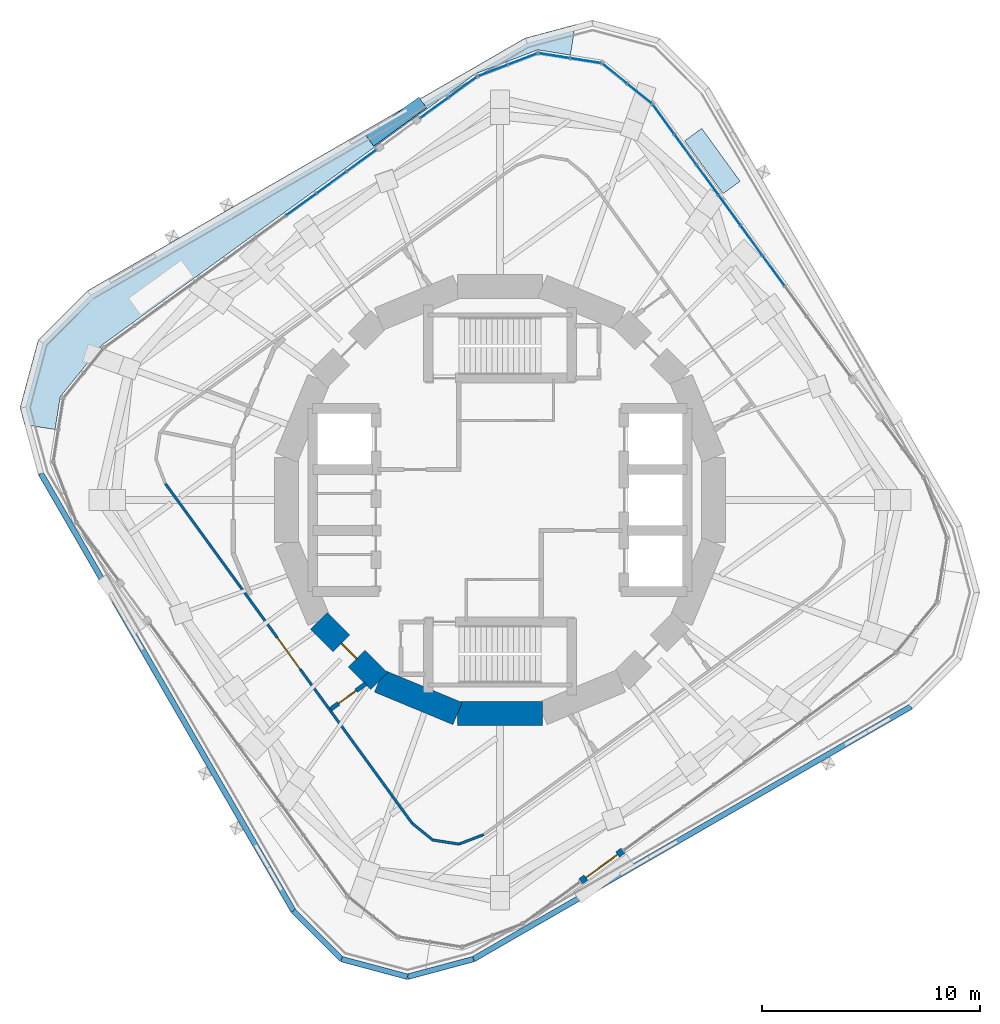
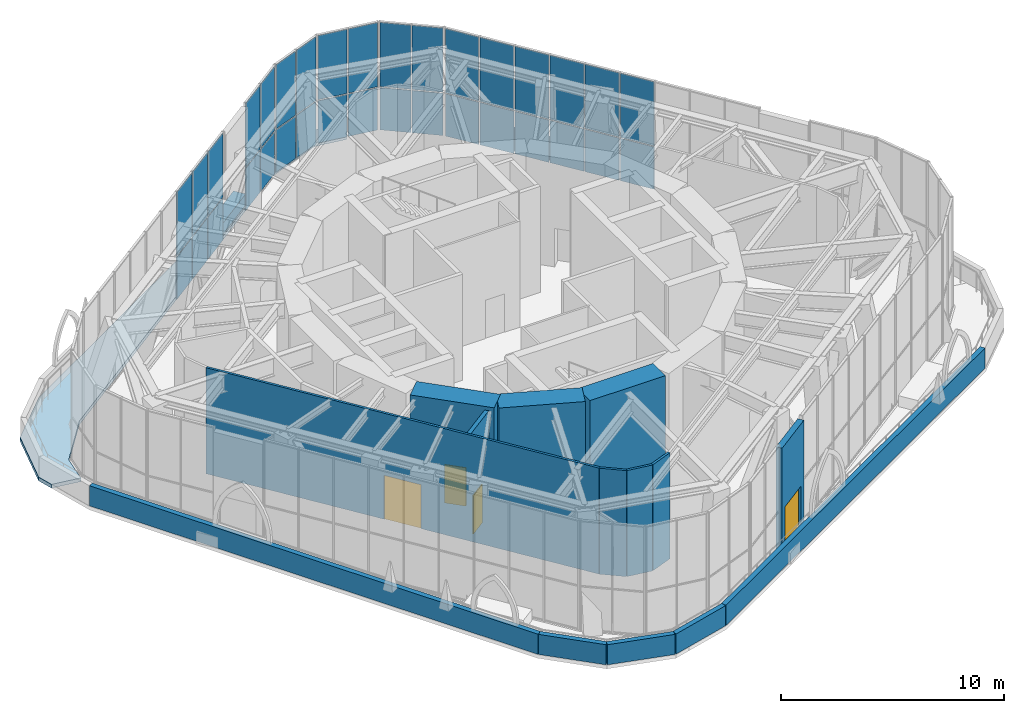
# One storey, part 12 of 18: 36 plates, 14 walls, 4 doors, 1 slab, 4 openings, 6 elements without a shape of their own.
"""IFC4 building model written with IfcOpenShell, lengths in metres."""

from ifc_helpers import new_model, si_unit, direction, frame, frame_2d, origin, origin_2d, place, context, subcontext, project, spatial, polyline, rectangle, outline, extrude, material, layer, layer_set, type_object, element, fill, aggregate, save


model = new_model("IFC4")

# Units and contexts
model_context = context("Model", 3, precision=1e-05, world=origin(), true_north=direction((0.0, 1.0)))
body_context = subcontext(model_context, "Body", "Model", "MODEL_VIEW")
ifc_project = project(units=[si_unit("LENGTHUNIT", "METRE"), si_unit("AREAUNIT", "SQUARE_METRE"), si_unit("VOLUMEUNIT", "CUBIC_METRE"), si_unit("PLANEANGLEUNIT", "RADIAN"), si_unit("MASSUNIT", "GRAM", prefix="KILO")], contexts=[model_context])

# Site, building, storey
site_placement = place(None, origin())
site = spatial("IfcSite", under=ifc_project, at=site_placement, CompositionType="ELEMENT")
building_placement = place(site_placement, origin())
building = spatial("IfcBuilding", under=site, at=building_placement, Name="Nakasero Lantern House", CompositionType="ELEMENT")
storey_placement = place(building_placement, frame((0.0, 0.0, 257.75)))
storey = spatial("IfcBuildingStorey", under=building, at=storey_placement, Name="L63", CompositionType="ELEMENT", Elevation=257.75)

# Curtain wall, plates
ifc_material_1 = material(Name="Aluminium 6063-T6 and glass", Category="aluminium")
curtain_wall_type = type_object("IfcCurtainWallType", Name="Sky lounge glazing CW-3", PredefinedType="USERDEFINED", material=ifc_material_1)
curtain_wall_1_placement = place(storey_placement, origin())
curtain_wall_1 = element("IfcCurtainWall", 1, at=curtain_wall_1_placement, inside=storey, type_object=curtain_wall_type, Name="Curtain wall CW-3 L63", ObjectType="STICK CURTAIN WALL", PredefinedType="USERDEFINED")
ifc_material_2 = material(Name="Glass", Category="glass")
ifc_layer_1 = layer(ifc_material_2, 0.028076171875)
ifc_layer_set_1 = layer_set([ifc_layer_1], Name="Glazed panel CW-3")
plate_type_1 = type_object("IfcPlateType", Name="Glazed panel CW-3", PredefinedType="CURTAIN_PANEL", material=ifc_layer_set_1)
plate_1_placement = place(storey_placement, frame((5.273681640625, 19.581298828125, 0.06005859375), z_axis=(0.0, 0.0, 1.0), x_axis=(-0.777145961424, 0.629320391091, 0.0)))
plate_1 = element("IfcPlate", 2, at=plate_1_placement, type_object=plate_type_1, Name="CW-3 panel 2.1", PredefinedType="CURTAIN_PANEL", context=body_context, shape_type="SweptSolid", body=[
    extrude(rectangle(XDim=1.398193359375, YDim=0.028076171875, at=origin_2d()), origin(), (0.0, 0.0, 1.0), 2.31005859375),
])
plate_2_placement = place(storey_placement, frame((5.273681640625, 19.581298828125, 2.43017578125), z_axis=(0.0, 0.0, 1.0), x_axis=(-0.777145961424, 0.629320391091, 0.0)))
plate_2 = element("IfcPlate", 3, at=plate_2_placement, type_object=plate_type_1, Name="CW-3 panel 2.2", PredefinedType="CURTAIN_PANEL", context=body_context, shape_type="SweptSolid", body=[
    extrude(rectangle(XDim=1.398193359375, YDim=0.028076171875, at=origin_2d()), origin(), (0.0, 0.0, 1.0), 3.510009765625),
])

curtain_wall_2_placement = place(storey_placement, origin())
curtain_wall_2 = element("IfcCurtainWall", 4, at=curtain_wall_2_placement, inside=storey, type_object=curtain_wall_type, Name="Curtain wall CW-3 L63", ObjectType="STICK CURTAIN WALL", PredefinedType="USERDEFINED")
plate_3_placement = place(storey_placement, frame((3.93408203125, 20.177734375, 0.06005859375), z_axis=(0.0, 0.0, 1.0), x_axis=(-0.987688340595, 0.15643446504, 0.0)))
plate_3 = element("IfcPlate", 5, at=plate_3_placement, type_object=plate_type_1, Name="CW-3 panel 1.1", PredefinedType="CURTAIN_PANEL", context=body_context, shape_type="SweptSolid", body=[
    extrude(rectangle(XDim=1.398193359375, YDim=0.028076171875, at=origin_2d()), origin(), (0.0, 0.0, 1.0), 2.31005859375),
])
plate_4_placement = place(storey_placement, frame((3.93408203125, 20.177734375, 2.43017578125), z_axis=(0.0, 0.0, 1.0), x_axis=(-0.987688340595, 0.15643446504, 0.0)))
plate_4 = element("IfcPlate", 6, at=plate_4_placement, type_object=plate_type_1, Name="CW-3 panel 1.2", PredefinedType="CURTAIN_PANEL", context=body_context, shape_type="SweptSolid", body=[
    extrude(rectangle(XDim=1.398193359375, YDim=0.028076171875, at=origin_2d()), origin(), (0.0, 0.0, 1.0), 3.510009765625),
])
plate_5_placement = place(storey_placement, frame((2.493896484375, 20.40576171875, 0.06005859375), z_axis=(0.0, 0.0, 1.0), x_axis=(-0.987688340595, 0.15643446504, 0.0)))
plate_5 = element("IfcPlate", 7, at=plate_5_placement, type_object=plate_type_1, Name="CW-3 panel 2.1", PredefinedType="CURTAIN_PANEL", context=body_context, shape_type="SweptSolid", body=[
    extrude(rectangle(XDim=1.398193359375, YDim=0.028076171875, at=origin_2d()), origin(), (0.0, 0.0, 1.0), 2.31005859375),
])
plate_6_placement = place(storey_placement, frame((2.493896484375, 20.40576171875, 2.43017578125), z_axis=(0.0, 0.0, 1.0), x_axis=(-0.987688340595, 0.15643446504, 0.0)))
plate_6 = element("IfcPlate", 8, at=plate_6_placement, type_object=plate_type_1, Name="CW-3 panel 2.2", PredefinedType="CURTAIN_PANEL", context=body_context, shape_type="SweptSolid", body=[
    extrude(rectangle(XDim=1.398193359375, YDim=0.028076171875, at=origin_2d()), origin(), (0.0, 0.0, 1.0), 3.510009765625),
])
aggregate(curtain_wall_2, [plate_3, plate_4, plate_5, plate_6])

curtain_wall_3_placement = place(storey_placement, origin())
curtain_wall_3 = element("IfcCurtainWall", 9, at=curtain_wall_3_placement, inside=storey, type_object=curtain_wall_type, Name="Curtain wall CW-3 L63", ObjectType="STICK CURTAIN WALL", PredefinedType="USERDEFINED")
plate_7_placement = place(storey_placement, frame((1.035400390625, 20.252685546875, 0.06005859375), z_axis=(0.0, 0.0, 1.0), x_axis=(-0.933580426472, -0.35836794961, 0.0)))
plate_7 = element("IfcPlate", 10, at=plate_7_placement, type_object=plate_type_1, Name="CW-3 panel 1.1", PredefinedType="CURTAIN_PANEL", context=body_context, shape_type="SweptSolid", body=[
    extrude(rectangle(XDim=1.398193359375, YDim=0.028076171875, at=origin_2d()), origin(), (0.0, 0.0, 1.0), 2.31005859375),
])
plate_8_placement = place(storey_placement, frame((1.035400390625, 20.252685546875, 2.43017578125), z_axis=(0.0, 0.0, 1.0), x_axis=(-0.933580426472, -0.35836794961, 0.0)))
plate_8 = element("IfcPlate", 11, at=plate_8_placement, type_object=plate_type_1, Name="CW-3 panel 1.2", PredefinedType="CURTAIN_PANEL", context=body_context, shape_type="SweptSolid", body=[
    extrude(rectangle(XDim=1.398193359375, YDim=0.028076171875, at=origin_2d()), origin(), (0.0, 0.0, 1.0), 3.510009765625),
])
plate_9_placement = place(storey_placement, frame((-0.325927734375, 19.72998046875, 0.06005859375), z_axis=(0.0, 0.0, 1.0), x_axis=(-0.933580426472, -0.35836794961, 0.0)))
plate_9 = element("IfcPlate", 12, at=plate_9_placement, type_object=plate_type_1, Name="CW-3 panel 2.1", PredefinedType="CURTAIN_PANEL", context=body_context, shape_type="SweptSolid", body=[
    extrude(rectangle(XDim=1.398193359375, YDim=0.028076171875, at=origin_2d()), origin(), (0.0, 0.0, 1.0), 2.31005859375),
])
plate_10_placement = place(storey_placement, frame((-0.325927734375, 19.72998046875, 2.43017578125), z_axis=(0.0, 0.0, 1.0), x_axis=(-0.933580426472, -0.35836794961, 0.0)))
plate_10 = element("IfcPlate", 13, at=plate_10_placement, type_object=plate_type_1, Name="CW-3 panel 2.2", PredefinedType="CURTAIN_PANEL", context=body_context, shape_type="SweptSolid", body=[
    extrude(rectangle(XDim=1.398193359375, YDim=0.028076171875, at=origin_2d()), origin(), (0.0, 0.0, 1.0), 3.510009765625),
])
aggregate(curtain_wall_3, [plate_7, plate_8, plate_9, plate_10])

curtain_wall_4_placement = place(storey_placement, origin())
curtain_wall_4 = element("IfcCurtainWall", 14, at=curtain_wall_4_placement, inside=storey, type_object=curtain_wall_type, Name="Curtain wall CW-3 L63", ObjectType="STICK CURTAIN WALL", PredefinedType="USERDEFINED")
plate_11_placement = place(storey_placement, frame((-1.71435546875, 18.964111328125, 0.06005859375), z_axis=(0.0, 0.0, 1.0), x_axis=(-0.809016994406, -0.58778525225, 0.0)))
plate_11 = element("IfcPlate", 15, at=plate_11_placement, type_object=plate_type_1, Name="CW-3 panel 1.1", PredefinedType="CURTAIN_PANEL", context=body_context, shape_type="SweptSolid", body=[
    extrude(rectangle(XDim=1.56005859375, YDim=0.028076171875, at=origin_2d()), origin(), (0.0, 0.0, 1.0), 2.31005859375),
])
plate_12_placement = place(storey_placement, frame((-1.71435546875, 18.964111328125, 2.43017578125), z_axis=(0.0, 0.0, 1.0), x_axis=(-0.809016994406, -0.58778525225, 0.0)))
plate_12 = element("IfcPlate", 16, at=plate_12_placement, type_object=plate_type_1, Name="CW-3 panel 1.2", PredefinedType="CURTAIN_PANEL", context=body_context, shape_type="SweptSolid", body=[
    extrude(rectangle(XDim=1.56005859375, YDim=0.028076171875, at=origin_2d()), origin(), (0.0, 0.0, 1.0), 3.510009765625),
])
plate_13_placement = place(storey_placement, frame((-3.02490234375, 18.011962890625, 0.06005859375), z_axis=(0.0, 0.0, 1.0), x_axis=(-0.809016994406, -0.58778525225, 0.0)))
plate_13 = element("IfcPlate", 17, at=plate_13_placement, type_object=plate_type_1, Name="CW-3 panel 2.1", PredefinedType="CURTAIN_PANEL", context=body_context, shape_type="SweptSolid", body=[
    extrude(rectangle(XDim=1.56005859375, YDim=0.028076171875, at=origin_2d()), origin(), (0.0, 0.0, 1.0), 2.31005859375),
])
plate_14_placement = place(storey_placement, frame((-3.02490234375, 18.011962890625, 2.43017578125), z_axis=(0.0, 0.0, 1.0), x_axis=(-0.809016994406, -0.58778525225, 0.0)))
plate_14 = element("IfcPlate", 18, at=plate_14_placement, type_object=plate_type_1, Name="CW-3 panel 2.2", PredefinedType="CURTAIN_PANEL", context=body_context, shape_type="SweptSolid", body=[
    extrude(rectangle(XDim=1.56005859375, YDim=0.028076171875, at=origin_2d()), origin(), (0.0, 0.0, 1.0), 3.510009765625),
])
aggregate(curtain_wall_4, [plate_11, plate_12, plate_13, plate_14])

curtain_wall_5_placement = place(storey_placement, origin())
curtain_wall_5 = element("IfcCurtainWall", 19, at=curtain_wall_5_placement, inside=storey, type_object=curtain_wall_type, Name="Curtain wall CW-3 L63", ObjectType="STICK CURTAIN WALL", PredefinedType="USERDEFINED")
ifc_material_3 = material(Name="Aluminium 6063-T6 and insulation", Category="aluminium")
ifc_layer_2 = layer(ifc_material_3, 0.028076171875)
ifc_layer_set_2 = layer_set([ifc_layer_2], Name="Insulated panel CW-3")
plate_type_2 = type_object("IfcPlateType", Name="Insulated panel CW-3", PredefinedType="CURTAIN_PANEL", material=ifc_layer_set_2)
plate_15_placement = place(storey_placement, frame((12.564453125, 10.522705078125, 0.06005859375), z_axis=(0.0, 0.0, 1.0), x_axis=(-0.587785252292, 0.809016994375, 0.0)))
plate_15 = element("IfcPlate", 20, at=plate_15_placement, type_object=plate_type_2, Name="CW-3 panel 4.1", PredefinedType="CURTAIN_PANEL", context=body_context, shape_type="SweptSolid", body=[
    extrude(rectangle(XDim=1.662109375, YDim=0.028076171875, at=origin_2d()), origin(), (0.0, 0.0, 1.0), 2.31005859375),
])
plate_16_placement = place(storey_placement, frame((12.564453125, 10.522705078125, 2.43017578125), z_axis=(0.0, 0.0, 1.0), x_axis=(-0.587785252292, 0.809016994375, 0.0)))
plate_16 = element("IfcPlate", 21, at=plate_16_placement, type_object=plate_type_2, Name="CW-3 panel 4.2", PredefinedType="CURTAIN_PANEL", context=body_context, shape_type="SweptSolid", body=[
    extrude(rectangle(XDim=1.662109375, YDim=0.028076171875, at=origin_2d()), origin(), (0.0, 0.0, 1.0), 3.510009765625),
])
plate_17_placement = place(storey_placement, frame((11.55224609375, 11.916015625, 0.06005859375), z_axis=(0.0, 0.0, 1.0), x_axis=(-0.587785252292, 0.809016994375, 0.0)))
plate_17 = element("IfcPlate", 22, at=plate_17_placement, type_object=plate_type_2, Name="CW-3 panel 5.1", PredefinedType="CURTAIN_PANEL", context=body_context, shape_type="SweptSolid", body=[
    extrude(rectangle(XDim=1.662109375, YDim=0.028076171875, at=origin_2d()), origin(), (0.0, 0.0, 1.0), 2.31005859375),
])
plate_18_placement = place(storey_placement, frame((11.55224609375, 11.916015625, 2.43017578125), z_axis=(0.0, 0.0, 1.0), x_axis=(-0.587785252292, 0.809016994375, 0.0)))
plate_18 = element("IfcPlate", 23, at=plate_18_placement, type_object=plate_type_2, Name="CW-3 panel 5.2", PredefinedType="CURTAIN_PANEL", context=body_context, shape_type="SweptSolid", body=[
    extrude(rectangle(XDim=1.662109375, YDim=0.028076171875, at=origin_2d()), origin(), (0.0, 0.0, 1.0), 3.510009765625),
])
plate_19_placement = place(storey_placement, frame((10.5400390625, 13.309326171875, 0.06005859375), z_axis=(0.0, 0.0, 1.0), x_axis=(-0.587785252292, 0.809016994375, 0.0)))
plate_19 = element("IfcPlate", 24, at=plate_19_placement, type_object=plate_type_2, Name="CW-3 panel 6.1", PredefinedType="CURTAIN_PANEL", context=body_context, shape_type="SweptSolid", body=[
    extrude(rectangle(XDim=1.662109375, YDim=0.028076171875, at=origin_2d()), origin(), (0.0, 0.0, 1.0), 2.31005859375),
])
plate_20_placement = place(storey_placement, frame((10.5400390625, 13.309326171875, 2.43017578125), z_axis=(0.0, 0.0, 1.0), x_axis=(-0.587785252292, 0.809016994375, 0.0)))
plate_20 = element("IfcPlate", 25, at=plate_20_placement, type_object=plate_type_2, Name="CW-3 panel 6.2", PredefinedType="CURTAIN_PANEL", context=body_context, shape_type="SweptSolid", body=[
    extrude(rectangle(XDim=1.662109375, YDim=0.028076171875, at=origin_2d()), origin(), (0.0, 0.0, 1.0), 3.510009765625),
])
plate_21_placement = place(storey_placement, frame((9.527587890625, 14.70263671875, 0.06005859375), z_axis=(0.0, 0.0, 1.0), x_axis=(-0.587785252292, 0.809016994375, 0.0)))
plate_21 = element("IfcPlate", 26, at=plate_21_placement, type_object=plate_type_2, Name="CW-3 panel 7.1", PredefinedType="CURTAIN_PANEL", context=body_context, shape_type="SweptSolid", body=[
    extrude(rectangle(XDim=1.662109375, YDim=0.028076171875, at=origin_2d()), origin(), (0.0, 0.0, 1.0), 2.31005859375),
])
plate_22_placement = place(storey_placement, frame((9.527587890625, 14.70263671875, 2.43017578125), z_axis=(0.0, 0.0, 1.0), x_axis=(-0.587785252292, 0.809016994375, 0.0)))
plate_22 = element("IfcPlate", 27, at=plate_22_placement, type_object=plate_type_2, Name="CW-3 panel 7.2", PredefinedType="CURTAIN_PANEL", context=body_context, shape_type="SweptSolid", body=[
    extrude(rectangle(XDim=1.662109375, YDim=0.028076171875, at=origin_2d()), origin(), (0.0, 0.0, 1.0), 3.510009765625),
])
plate_23_placement = place(storey_placement, frame((8.515380859375, 16.095947265625, 0.06005859375), z_axis=(0.0, 0.0, 1.0), x_axis=(-0.587785252292, 0.809016994375, 0.0)))
plate_23 = element("IfcPlate", 28, at=plate_23_placement, type_object=plate_type_2, Name="CW-3 panel 8.1", PredefinedType="CURTAIN_PANEL", context=body_context, shape_type="SweptSolid", body=[
    extrude(rectangle(XDim=1.662109375, YDim=0.028076171875, at=origin_2d()), origin(), (0.0, 0.0, 1.0), 2.31005859375),
])
plate_24_placement = place(storey_placement, frame((8.515380859375, 16.095947265625, 2.43017578125), z_axis=(0.0, 0.0, 1.0), x_axis=(-0.587785252292, 0.809016994375, 0.0)))
plate_24 = element("IfcPlate", 29, at=plate_24_placement, type_object=plate_type_2, Name="CW-3 panel 8.2", PredefinedType="CURTAIN_PANEL", context=body_context, shape_type="SweptSolid", body=[
    extrude(rectangle(XDim=1.662109375, YDim=0.028076171875, at=origin_2d()), origin(), (0.0, 0.0, 1.0), 3.510009765625),
])
plate_25_placement = place(storey_placement, frame((7.511962890625, 17.47705078125, 0.06005859375), z_axis=(0.0, 0.0, 1.0), x_axis=(-0.587785252292, 0.809016994375, 0.0)))
plate_25 = element("IfcPlate", 30, at=plate_25_placement, type_object=plate_type_2, Name="CW-3 panel 9.1", PredefinedType="CURTAIN_PANEL", context=body_context, shape_type="SweptSolid", body=[
    extrude(rectangle(XDim=1.63232421875, YDim=0.028076171875, at=origin_2d()), origin(), (0.0, 0.0, 1.0), 2.31005859375),
])
plate_26_placement = place(storey_placement, frame((7.511962890625, 17.47705078125, 2.43017578125), z_axis=(0.0, 0.0, 1.0), x_axis=(-0.587785252292, 0.809016994375, 0.0)))
plate_26 = element("IfcPlate", 31, at=plate_26_placement, type_object=plate_type_2, Name="CW-3 panel 9.2", PredefinedType="CURTAIN_PANEL", context=body_context, shape_type="SweptSolid", body=[
    extrude(rectangle(XDim=1.63232421875, YDim=0.028076171875, at=origin_2d()), origin(), (0.0, 0.0, 1.0), 3.510009765625),
])
aggregate(curtain_wall_5, [plate_15, plate_16, plate_17, plate_18, plate_19, plate_20, plate_21, plate_22, plate_23, plate_24, plate_25, plate_26])

# Plate
plate_27_placement = place(storey_placement, frame((6.406982421875, 18.66357421875, 0.06005859375), z_axis=(0.0, 0.0, 1.0), x_axis=(-0.777145961424, 0.629320391091, 0.0)))
plate_27 = element("IfcPlate", 32, at=plate_27_placement, type_object=plate_type_2, Name="CW-3 panel 1.1", PredefinedType="CURTAIN_PANEL", context=body_context, shape_type="SweptSolid", body=[
    extrude(rectangle(XDim=1.398193359375, YDim=0.028076171875, at=origin_2d()), origin(), (0.0, 0.0, 1.0), 2.31005859375),
])

plate_28_placement = place(storey_placement, frame((6.406982421875, 18.66357421875, 2.43017578125), z_axis=(0.0, 0.0, 1.0), x_axis=(-0.777145961424, 0.629320391091, 0.0)))
plate_28 = element("IfcPlate", 33, at=plate_28_placement, type_object=plate_type_2, Name="CW-3 panel 1.2", PredefinedType="CURTAIN_PANEL", context=body_context, shape_type="SweptSolid", body=[
    extrude(rectangle(XDim=1.398193359375, YDim=0.028076171875, at=origin_2d()), origin(), (0.0, 0.0, 1.0), 3.510009765625),
])

aggregate(curtain_wall_1, [plate_27, plate_28, plate_1, plate_2])

# Curtain wall, plates
curtain_wall_6_placement = place(storey_placement, origin())
curtain_wall_6 = element("IfcCurtainWall", 34, at=curtain_wall_6_placement, inside=storey, type_object=curtain_wall_type, Name="Curtain wall CW-3 L63", ObjectType="STICK CURTAIN WALL", PredefinedType="USERDEFINED")
plate_29_placement = place(storey_placement, frame((-6.35498046875, 15.592529296875, 0.06005859375), z_axis=(0.0, 0.0, 1.0), x_axis=(-0.809016994375, -0.587785252292, 0.0)))
plate_29 = element("IfcPlate", 35, at=plate_29_placement, type_object=plate_type_2, Name="CW-3 panel 1.1", PredefinedType="CURTAIN_PANEL", context=body_context, shape_type="SweptSolid", body=[
    extrude(rectangle(XDim=1.63232421875, YDim=0.028076171875, at=origin_2d()), origin(), (0.0, 0.0, 1.0), 2.31005859375),
])
plate_30_placement = place(storey_placement, frame((-6.35498046875, 15.592529296875, 2.43017578125), z_axis=(0.0, 0.0, 1.0), x_axis=(-0.809016994375, -0.587785252292, 0.0)))
plate_30 = element("IfcPlate", 36, at=plate_30_placement, type_object=plate_type_2, Name="CW-3 panel 1.2", PredefinedType="CURTAIN_PANEL", context=body_context, shape_type="SweptSolid", body=[
    extrude(rectangle(XDim=1.63232421875, YDim=0.028076171875, at=origin_2d()), origin(), (0.0, 0.0, 1.0), 3.510009765625),
])
plate_31_placement = place(storey_placement, frame((-7.736083984375, 14.589111328125, 0.06005859375), z_axis=(0.0, 0.0, 1.0), x_axis=(-0.809016994375, -0.587785252292, 0.0)))
plate_31 = element("IfcPlate", 37, at=plate_31_placement, type_object=plate_type_2, Name="CW-3 panel 2.1", PredefinedType="CURTAIN_PANEL", context=body_context, shape_type="SweptSolid", body=[
    extrude(rectangle(XDim=1.662109375, YDim=0.028076171875, at=origin_2d()), origin(), (0.0, 0.0, 1.0), 2.31005859375),
])
plate_32_placement = place(storey_placement, frame((-7.736083984375, 14.589111328125, 2.43017578125), z_axis=(0.0, 0.0, 1.0), x_axis=(-0.809016994375, -0.587785252292, 0.0)))
plate_32 = element("IfcPlate", 38, at=plate_32_placement, type_object=plate_type_2, Name="CW-3 panel 2.2", PredefinedType="CURTAIN_PANEL", context=body_context, shape_type="SweptSolid", body=[
    extrude(rectangle(XDim=1.662109375, YDim=0.028076171875, at=origin_2d()), origin(), (0.0, 0.0, 1.0), 3.510009765625),
])
plate_33_placement = place(storey_placement, frame((-9.12939453125, 13.576904296875, 0.06005859375), z_axis=(0.0, 0.0, 1.0), x_axis=(-0.809016994375, -0.587785252292, 0.0)))
plate_33 = element("IfcPlate", 39, at=plate_33_placement, type_object=plate_type_2, Name="CW-3 panel 3.1", PredefinedType="CURTAIN_PANEL", context=body_context, shape_type="SweptSolid", body=[
    extrude(rectangle(XDim=1.662109375, YDim=0.028076171875, at=origin_2d()), origin(), (0.0, 0.0, 1.0), 2.31005859375),
])
plate_34_placement = place(storey_placement, frame((-9.12939453125, 13.576904296875, 2.43017578125), z_axis=(0.0, 0.0, 1.0), x_axis=(-0.809016994375, -0.587785252292, 0.0)))
plate_34 = element("IfcPlate", 40, at=plate_34_placement, type_object=plate_type_2, Name="CW-3 panel 3.2", PredefinedType="CURTAIN_PANEL", context=body_context, shape_type="SweptSolid", body=[
    extrude(rectangle(XDim=1.662109375, YDim=0.028076171875, at=origin_2d()), origin(), (0.0, 0.0, 1.0), 3.510009765625),
])
aggregate(curtain_wall_6, [plate_29, plate_30, plate_31, plate_32, plate_33, plate_34])

# Plates
ifc_material_4 = material(Name="Aluminium 6063-T6", Category="aluminium")
ifc_layer_3 = layer(ifc_material_4, 0.60009765625)
ifc_layer_set_3 = layer_set([ifc_layer_3], Name="Sky garden planter 1200x3000")
plate_type_3 = type_object("IfcPlateType", Name="Sky garden planter 1200x3000", PredefinedType="USERDEFINED", material=ifc_layer_set_3)
plate_35_placement = place(storey_placement, frame((9.756103515625, 15.567626953125, 0.0), z_axis=(0.0, 0.0, 1.0), x_axis=(0.809016994375, 0.587785252292, 0.0)))
element("IfcPlate", 41, at=plate_35_placement, inside=storey, type_object=plate_type_3, Name="Sky garden PLANTER L63 01", ObjectType="PLANTER", PredefinedType="USERDEFINED", context=body_context, shape_type="SweptSolid", body=[
    extrude(rectangle(XDim=0.96630859375, YDim=3.0, at=origin_2d()), origin(), (0.0, 0.0, 1.0), 0.60009765625),
])
plate_36_placement = place(storey_placement, frame((-4.7646484375, 17.37841796875, 0.0), z_axis=(0.0, 0.0, 1.0), x_axis=(-0.587785252292, 0.809016994375, 0.0)))
element("IfcPlate", 42, at=plate_36_placement, inside=storey, type_object=plate_type_3, Name="Sky garden PLANTER L63 10", ObjectType="PLANTER", PredefinedType="USERDEFINED", context=body_context, shape_type="SweptSolid", body=[
    extrude(rectangle(XDim=0.60009765625, YDim=3.0, at=origin_2d()), origin(), (0.0, 0.0, 1.0), 0.60009765625),
])

# Slab
ifc_material_5 = material(Name="Concrete C35/45", Category="concrete")
ifc_layer_4 = layer(ifc_material_5, 0.199951171875)
ifc_layer_set_4 = layer_set([ifc_layer_4], Name="Sky garden terrace slab 200")
slab_type = type_object("IfcSlabType", Name="Sky garden terrace slab 200", PredefinedType="USERDEFINED", material=ifc_layer_set_4)
slab_placement = place(storey_placement, frame((0.0, 0.0, -0.199951171875)))
element("IfcSlab", 43, at=slab_placement, inside=storey, type_object=slab_type, Name="Sky garden terrace L63 N", ObjectType="TERRACE", PredefinedType="USERDEFINED", context=body_context, shape_type="SweptSolid", body=[
    extrude(outline(polyline([(-22.0458984375, 4.245849609375), (-21.21533203125, 7.345947265625), (-18.94580078125, 9.615234375), (1.14599609375, 21.21533203125), (3.458251953125, 21.8349609375), (3.236572265625, 20.434814453125), (1.728271484375, 20.673828125), (-1.122802734375, 19.579345703125), (-18.27392578125, 7.1181640625), (-20.196044921875, 4.744873046875), (-20.434814453125, 3.236572265625), (-21.8349609375, 3.458251953125), (-22.0458984375, 4.245849609375)])), origin(), (0.0, 0.0, 1.0), 0.199951171875),
])

# Wall, opening, door
ifc_material_6 = material(Name="Concrete C50/60", Category="concrete")
ifc_layer_5 = layer(ifc_material_6, 1.10009765625)
ifc_layer_set_5 = layer_set([ifc_layer_5], Name="Core wall 1100")
wall_type_1 = type_object("IfcWallType", Name="Core wall 1100", PredefinedType="SHEAR", material=ifc_layer_set_5)
wall_1_placement = place(storey_placement, frame((-8.314697265625, -5.5556640625, 0.0), z_axis=(0.0, 0.0, 1.0), x_axis=(0.707106781187, -0.707106781187, 0.0)))
wall_1 = element("IfcWall", 44, at=wall_1_placement, inside=storey, type_object=wall_type_1, Name="Core wall L63 facet 10", PredefinedType="SHEAR", context=body_context, shape_type="SweptSolid", body=[
    extrude(rectangle(XDim=3.90185546875, YDim=1.10009765625, at=frame_2d((1.950927734375, 0.0))), origin(), (0.0, 0.0, 1.0), 6.0),
])
opening_1_placement = place(wall_1_placement, frame((1.450927734375, 0.0, 0.0)))
opening_1 = element("IfcOpeningElement", 45, at=opening_1_placement, cuts=wall_1, Name="Opening D05", PredefinedType="OPENING", context=body_context, shape_type="SweptSolid", body=[
    extrude(rectangle(XDim=1.0, YDim=2.10009765625, at=frame_2d((0.5, 1.050048828125))), frame((0.0, 0.570068359375, 0.0), z_axis=(0.0, -1.0, 0.0), x_axis=(1.0, 0.0, 0.0)), (0.0, 0.0, 1.0), 1.14013671875),
])
ifc_material_7 = material(Name="Timber C24", Category="wood")
door_type_1 = type_object("IfcDoorType", Name="Core door FD60S 1000", OperationType="SINGLE_SWING_LEFT", PredefinedType="DOOR", material=ifc_material_7)
door_1_placement = place(opening_1_placement, origin())
door_1 = element("IfcDoor", 46, at=door_1_placement, inside=storey, type_object=door_type_1, Name="Door L63 D-CORE10", OperationType="SINGLE_SWING_LEFT", OverallHeight=2.10009765625, OverallWidth=1.0, PredefinedType="DOOR", context=body_context, shape_type="SweptSolid", body=[
    extrude(rectangle(XDim=1.0, YDim=2.10009765625, at=frame_2d((0.5, 1.050048828125))), frame((0.0, 0.02490234375, 0.0), z_axis=(0.0, -1.0, 0.0), x_axis=(1.0, 0.0, 0.0)), (0.0, 0.0, 1.0), 0.050048828125),
])
fill(opening_1, door_1)

# Walls
for number, where, z_axis, x_axis, name in (
    (47, (-5.5556640625, -8.314697265625, 0.0), (0.0, 0.0, 1.0), (0.923876507187, -0.382690736062, 0.0), "Core wall L63 facet 11"),
    (48, (-1.950927734375, -9.807861328125, 0.0), (0.0, 0.0, 1.0), (1.0, 0.0, 0.0), "Core wall L63 facet 12"),
):
    element("IfcWall", number, at=place(storey_placement, frame(where, z_axis=z_axis, x_axis=x_axis)), inside=storey, type_object=wall_type_1, Name=name, PredefinedType="SHEAR", context=body_context, shape_type="SweptSolid", body=[
        extrude(rectangle(XDim=3.90185546875, YDim=1.10009765625, at=frame_2d((1.950927734375, 0.0))), origin(), (0.0, 0.0, 1.0), 6.0),
    ])

# Wall, opening, door
ifc_material_8 = material(Name="Blockwork", Category="masonry")
ifc_layer_6 = layer(ifc_material_8, 0.199951171875)
ifc_layer_set_6 = layer_set([ifc_layer_6], Name="Corridor wall 200")
wall_type_2 = type_object("IfcWallType", Name="Corridor wall 200", PredefinedType="PARTITIONING", material=ifc_layer_set_6)
wall_2_placement = place(storey_placement, frame((-6.1552734375, -8.428955078125, 0.0), z_axis=(0.0, 0.0, 1.0), x_axis=(-0.808983112951, -0.587831883246, 0.0)))
wall_2 = element("IfcWall", 49, at=wall_2_placement, inside=storey, type_object=wall_type_2, Name="Corridor wall L63 TQ20", PredefinedType="PARTITIONING", context=body_context, shape_type="SweptSolid", body=[
    extrude(rectangle(XDim=2.008056640625, YDim=0.199951171875, at=frame_2d((1.00390625, 0.0))), origin(), (0.0, 0.0, 1.0), 5.800048828125),
])
opening_2_placement = place(wall_2_placement, frame((0.55859375, 0.0, 0.0)))
opening_2 = element("IfcOpeningElement", 50, at=opening_2_placement, cuts=wall_2, Name="Opening D03", PredefinedType="OPENING", context=body_context, shape_type="SweptSolid", body=[
    extrude(rectangle(XDim=1.0, YDim=2.10009765625, at=frame_2d((0.5, 1.050048828125))), frame((0.0, 0.119873046875, 0.0), z_axis=(0.0, -1.0, 0.0), x_axis=(1.0, 0.0, 0.0)), (0.0, 0.0, 1.0), 0.239990234375),
])
ifc_material_9 = material(Name="Timber C24", Category="wood")
door_type_2 = type_object("IfcDoorType", Name="Lounge door FD30S 1000", OperationType="SINGLE_SWING_LEFT", PredefinedType="DOOR", material=ifc_material_9)
door_2_placement = place(opening_2_placement, origin())
door_2 = element("IfcDoor", 51, at=door_2_placement, inside=storey, type_object=door_type_2, Name="Door L63 DQ20", OperationType="SINGLE_SWING_RIGHT", OverallHeight=2.10009765625, OverallWidth=1.0, PredefinedType="DOOR", context=body_context, shape_type="SweptSolid", body=[
    extrude(rectangle(XDim=1.0, YDim=2.10009765625, at=frame_2d((0.5, 1.050048828125))), frame((0.0, 0.02490234375, 0.0), z_axis=(0.0, -1.0, 0.0), x_axis=(1.0, 0.0, 0.0)), (0.0, 0.0, 1.0), 0.050048828125),
])
fill(opening_2, door_2)

ifc_material_10 = material(Name="Concrete C40/50", Category="concrete")
ifc_layer_7 = layer(ifc_material_10, 0.300048828125)
ifc_layer_set_7 = layer_set([ifc_layer_7], Name="Entrance portal wall 300")
wall_type_3 = type_object("IfcWallType", Name="Entrance portal wall 300", PredefinedType="SOLIDWALL", material=ifc_layer_set_7)
wall_3_placement = place(storey_placement, frame((3.704345703125, -17.518310546875, 0.0), z_axis=(0.0, 0.0, 1.0), x_axis=(0.809026317077, 0.587772420479, 0.0)))
wall_3 = element("IfcWall", 52, at=wall_3_placement, inside=storey, type_object=wall_type_3, Name="Sky lounge door wall L63 3", PredefinedType="SOLIDWALL", context=body_context, shape_type="SweptSolid", body=[
    extrude(rectangle(XDim=2.39990234375, YDim=0.300048828125, at=frame_2d((1.199951171875, 0.0))), origin(), (0.0, 0.0, 1.0), 5.800048828125),
])
opening_3_placement = place(wall_3_placement, frame((0.300048828125, 0.0, 0.0)))
opening_3 = element("IfcOpeningElement", 53, at=opening_3_placement, cuts=wall_3, Name="Opening D10", PredefinedType="OPENING", context=body_context, shape_type="SweptSolid", body=[
    extrude(rectangle(XDim=1.800048828125, YDim=2.39990234375, at=frame_2d((0.89990234375, 1.199951171875))), frame((0.0, 0.169921875, 0.0), z_axis=(0.0, -1.0, 0.0), x_axis=(1.0, 0.0, 0.0)), (0.0, 0.0, 1.0), 0.340087890625),
])
ifc_material_11 = material(Name="Aluminium 6063-T6 and glass", Category="aluminium")
door_type_3 = type_object("IfcDoorType", Name="Sky garden doors 1800x2400", OperationType="DOUBLE_DOOR_SINGLE_SWING", PredefinedType="DOOR", material=ifc_material_11)
door_3_placement = place(opening_3_placement, origin())
door_3 = element("IfcDoor", 54, at=door_3_placement, inside=storey, type_object=door_type_3, Name="Sky garden door L63 3", OperationType="DOUBLE_DOOR_SINGLE_SWING", OverallHeight=2.39990234375, OverallWidth=1.800048828125, PredefinedType="DOOR", context=body_context, shape_type="SweptSolid", body=[
    extrude(rectangle(XDim=1.800048828125, YDim=2.39990234375, at=frame_2d((0.89990234375, 1.199951171875))), frame((0.0, 0.02490234375, 0.0), z_axis=(0.0, -1.0, 0.0), x_axis=(1.0, 0.0, 0.0)), (0.0, 0.0, 1.0), 0.050048828125),
])
fill(opening_3, door_3)

ifc_material_12 = material(Name="Aluminium 6063-T6 and glass", Category="aluminium")
ifc_layer_8 = layer(ifc_material_12, 0.1201171875)
ifc_layer_set_8 = layer_set([ifc_layer_8], Name="Glazed screen 120")
wall_type_4 = type_object("IfcWallType", Name="Glazed screen 120", PredefinedType="PARTITIONING", material=ifc_layer_set_8)
wall_4_placement = place(storey_placement, frame((-15.369384765625, 0.751953125, 0.0), z_axis=(0.0, 0.0, 1.0), x_axis=(0.587777184047, -0.809022856237, 0.0)))
wall_4 = element("IfcWall", 55, at=wall_4_placement, inside=storey, type_object=wall_type_4, Name="Glazed screen L63 WG2S", PredefinedType="PARTITIONING", context=body_context, shape_type="SweptSolid", body=[
    extrude(rectangle(XDim=19.284423828125, YDim=0.1201171875, at=frame_2d((9.64208984375, 0.0))), origin(), (0.0, 0.0, 1.0), 5.800048828125),
])
opening_4_placement = place(wall_4_placement, frame((8.7421875, 0.0, 0.0)))
opening_4 = element("IfcOpeningElement", 56, at=opening_4_placement, cuts=wall_4, Name="Opening D18", PredefinedType="OPENING", context=body_context, shape_type="SweptSolid", body=[
    extrude(rectangle(XDim=1.800048828125, YDim=2.39990234375, at=frame_2d((0.89990234375, 1.199951171875))), frame((0.0, 0.080078125, 0.0), z_axis=(0.0, -1.0, 0.0), x_axis=(1.0, 0.0, 0.0)), (0.0, 0.0, 1.0), 0.16015625),
])
ifc_material_13 = material(Name="Aluminium 6063-T6 and glass", Category="aluminium")
door_type_4 = type_object("IfcDoorType", Name="Glazed screen door 1800", OperationType="DOUBLE_DOOR_SINGLE_SWING", PredefinedType="DOOR", material=ifc_material_13)
door_4_placement = place(opening_4_placement, origin())
door_4 = element("IfcDoor", 57, at=door_4_placement, inside=storey, type_object=door_type_4, Name="Door L63 DW2", OperationType="DOUBLE_DOOR_SINGLE_SWING", OverallHeight=2.39990234375, OverallWidth=1.800048828125, PredefinedType="DOOR", context=body_context, shape_type="SweptSolid", body=[
    extrude(rectangle(XDim=1.800048828125, YDim=2.39990234375, at=frame_2d((0.89990234375, 1.199951171875))), frame((0.0, 0.02490234375, 0.0), z_axis=(0.0, -1.0, 0.0), x_axis=(1.0, 0.0, 0.0)), (0.0, 0.0, 1.0), 0.050048828125),
])
fill(opening_4, door_4)

# Walls
wall_5_placement = place(storey_placement, frame((-4.034423828125, -14.849609375, 0.0), z_axis=(0.0, 0.0, 1.0), x_axis=(0.777272911572, -0.629163588375, 0.0)))
element("IfcWall", 58, at=wall_5_placement, inside=storey, type_object=wall_type_4, Name="Glazed screen L63 WG2C1", PredefinedType="PARTITIONING", context=body_context, shape_type="SweptSolid", body=[
    extrude(rectangle(XDim=1.216552734375, YDim=0.1201171875, at=frame_2d((0.6083984375, 0.0))), origin(), (0.0, 0.0, 1.0), 5.800048828125),
])
for number, where, z_axis, x_axis, name in (
    (59, (-3.0888671875, -15.614990234375, 0.0), (0.0, 0.0, 1.0), (0.987670032306, -0.156550015281, 0.0), "Glazed screen L63 WG2C2"),
    (60, (-1.887451171875, -15.805419921875, 0.0), (0.0, 0.0, 1.0), (0.933536879349, 0.358481373149, 0.0), "Glazed screen L63 WG2C3"),
):
    element("IfcWall", number, at=place(storey_placement, frame(where, z_axis=z_axis, x_axis=x_axis)), inside=storey, type_object=wall_type_4, Name=name, PredefinedType="PARTITIONING", context=body_context, shape_type="SweptSolid", body=[
        extrude(rectangle(XDim=1.21630859375, YDim=0.1201171875, at=frame_2d((0.608154296875, 0.0))), origin(), (0.0, 0.0, 1.0), 5.800048828125),
    ])
ifc_material_14 = material(Name="Concrete C35/45", Category="concrete")
ifc_layer_9 = layer(ifc_material_14, 0.25)
ifc_layer_set_9 = layer_set([ifc_layer_9], Name="Parapet 250")
wall_type_5 = type_object("IfcWallType", Name="Parapet 250", PredefinedType="SOLIDWALL", material=ifc_layer_set_9)
wall_6_placement = place(storey_placement, frame((-21.08544921875, 1.220947265625, 0.0), z_axis=(0.0, 0.0, 1.0), x_axis=(0.500003016864, -0.86602366199, 0.0)))
element("IfcWall", 61, at=wall_6_placement, inside=storey, type_object=wall_type_5, Name="Parapet L63 PP2S", PredefinedType="SOLIDWALL", context=body_context, shape_type="SweptSolid", body=[
    extrude(rectangle(XDim=23.199951171875, YDim=0.25, at=frame_2d((11.60009765625, 0.0))), origin(), (0.0, 0.0, 1.0), 1.10009765625),
])
for number, where, z_axis, x_axis, name in (
    (62, (-9.4853515625, -18.870849609375, 0.0), (0.0, 0.0, 1.0), (0.707067801733, -0.707145758492, 0.0), "Parapet L63 PP2C1"),
    (63, (-7.27099609375, -21.08544921875, 0.0), (0.0, 0.0, 1.0), (0.965928914048, -0.258807521156, 0.0), "Parapet L63 PP2C2"),
):
    element("IfcWall", number, at=place(storey_placement, frame(where, z_axis=z_axis, x_axis=x_axis)), inside=storey, type_object=wall_type_5, Name=name, PredefinedType="SOLIDWALL", context=body_context, shape_type="SweptSolid", body=[
        extrude(rectangle(XDim=3.1318359375, YDim=0.25, at=frame_2d((1.56591796875, 0.0))), origin(), (0.0, 0.0, 1.0), 1.10009765625),
    ])
wall_7_placement = place(storey_placement, frame((-4.245849609375, -21.89599609375, 0.0), z_axis=(0.0, 0.0, 1.0), x_axis=(0.96592369199, 0.258827010283, 0.0)))
element("IfcWall", 64, at=wall_7_placement, inside=storey, type_object=wall_type_5, Name="Parapet L63 PP2C3", PredefinedType="SOLIDWALL", context=body_context, shape_type="SweptSolid", body=[
    extrude(rectangle(XDim=3.131591796875, YDim=0.25, at=frame_2d((1.56591796875, 0.0))), origin(), (0.0, 0.0, 1.0), 1.10009765625),
])
wall_8_placement = place(storey_placement, frame((-1.220947265625, -21.08544921875, 0.0), z_axis=(0.0, 0.0, 1.0), x_axis=(0.86602366199, 0.500003016864, 0.0)))
element("IfcWall", 65, at=wall_8_placement, inside=storey, type_object=wall_type_5, Name="Parapet L63 PP3S", PredefinedType="SOLIDWALL", context=body_context, shape_type="SweptSolid", body=[
    extrude(rectangle(XDim=23.199951171875, YDim=0.25, at=frame_2d((11.60009765625, 0.0))), origin(), (0.0, 0.0, 1.0), 1.10009765625),
])

save(model, "model.ifc")
